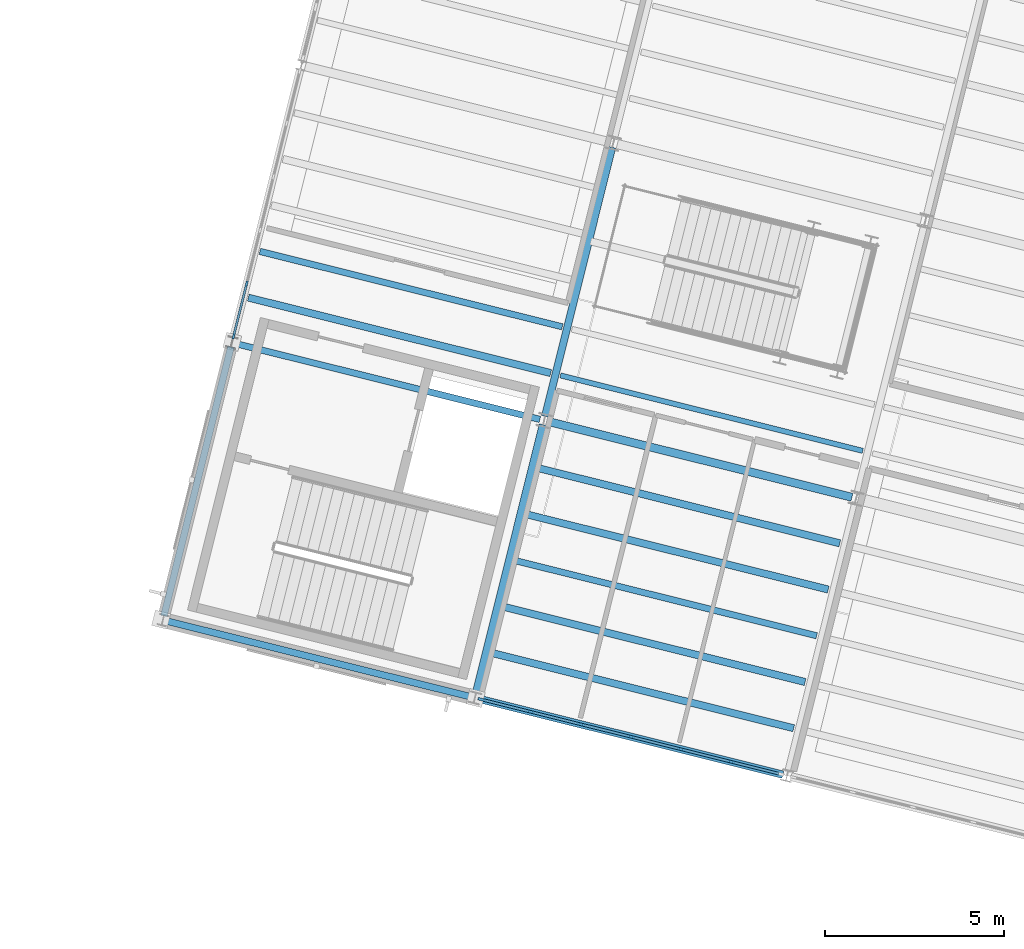
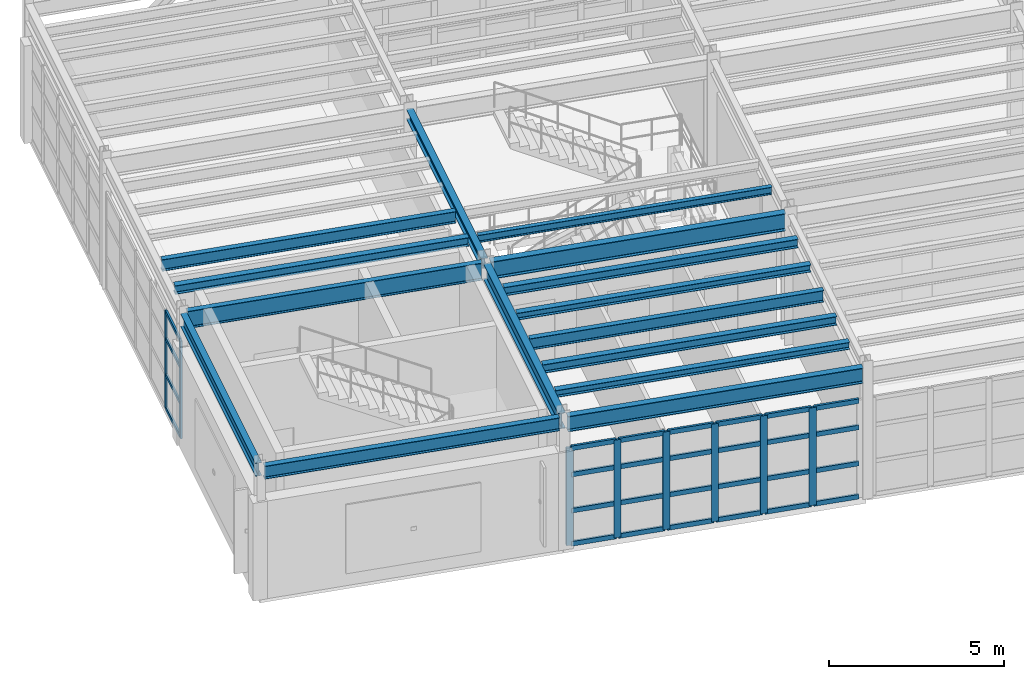
# One storey, part 12 of 59: 36 members, 15 beams, 2 elements without a shape of their own.
"""IFC4 building model written with IfcOpenShell, lengths in metres."""

import ifcopenshell
import ifcopenshell.guid

model = None  # the IFC model being written
_history = None  # IfcOwnerHistory: only IFC2X3 demands one
_inside = {}  # id of a spatial element -> (the spatial element, [elements in it])
_under = {}  # id of a project, library or spatial element -> (it, [spatial elements below it])
_declared = {}  # id of a project -> (the project, [libraries it declares])
_typed = {}  # id of a type object -> (the type object, [elements of that type])
_made_of = {}  # id of a material, layer set ... -> (it, [elements and type objects made of it])


def new_model(schema):
    """Start an empty IFC model of exactly this schema.

    Asked for "IFC4X3", IfcOpenShell would pick the latest addendum, in which some entities
    have other attributes; the version numbers below select the first issue.
    IFC2X3 requires an IfcOwnerHistory on every rooted entity: one is made here for all.
    """
    global model, _history
    if schema == "IFC4X3":
        model = ifcopenshell.file(schema_version=(4, 3, 0, 0))
    else:
        model = ifcopenshell.file(schema=schema)
    _inside.clear()
    _under.clear()
    _declared.clear()
    _typed.clear()
    _made_of.clear()
    _history = None
    if model.schema == "IFC2X3":
        org = make("IfcOrganization", Name="unknown")
        user = make(
            "IfcPersonAndOrganization",
            ThePerson=make("IfcPerson", FamilyName="unknown"),
            TheOrganization=org,
        )
        app = make(
            "IfcApplication",
            ApplicationDeveloper=org,
            Version="unknown",
            ApplicationFullName="unknown",
            ApplicationIdentifier="unknown",
        )
        _history = make(
            "IfcOwnerHistory",
            OwningUser=user,
            OwningApplication=app,
            ChangeAction="ADDED",
            CreationDate=0,
        )
    return model


def make(cls, **values):
    """One entity of the class cls with the attributes given. An attribute that is None is left unset."""
    return model.create_entity(
        cls, **{name: value for name, value in values.items() if value is not None}
    )


def rooted(cls, **values):
    """An entity with a GlobalId (a new one), such as an element, a storey or a relation."""
    return make(cls, GlobalId=ifcopenshell.guid.new(), OwnerHistory=_history, **values)


def si_unit(unit_type, name, prefix=None):
    """IfcSIUnit, for example si_unit("LENGTHUNIT", "METRE", prefix="MILLI")."""
    return make("IfcSIUnit", UnitType=unit_type, Prefix=prefix, Name=name)


def assignment(units):
    """IfcUnitAssignment: the units of a project."""
    return None if units is None else make("IfcUnitAssignment", Units=units)


def point(xyz):
    """IfcCartesianPoint."""
    return None if xyz is None else make("IfcCartesianPoint", Coordinates=xyz)


def direction(xyz):
    """IfcDirection."""
    return None if xyz is None else make("IfcDirection", DirectionRatios=xyz)


def frame(location, z_axis=None, x_axis=None):
    """IfcAxis2Placement3D, a coordinate frame: its origin and axes. An axis left out is left unset."""
    return make(
        "IfcAxis2Placement3D",
        Location=point(location),
        Axis=direction(z_axis),
        RefDirection=direction(x_axis),
    )


def frame_2d(location, x_axis=None):
    """IfcAxis2Placement2D, a coordinate frame in the plane: its origin and x axis."""
    return make(
        "IfcAxis2Placement2D", Location=point(location), RefDirection=direction(x_axis)
    )


def origin():
    """The frame at (0, 0, 0) with its axes left unset."""
    return frame((0.0, 0.0, 0.0))


def origin_2d():
    """The frame at (0, 0) in the plane with its x axis left unset."""
    return frame_2d((0.0, 0.0))


def place(relative_to, where):
    """IfcLocalPlacement: puts the frame where relative to a parent placement (None: the world)."""
    return make(
        "IfcLocalPlacement", PlacementRelTo=relative_to, RelativePlacement=where
    )


def context(
    kind, dimensions, precision=None, world=None, true_north=None, identifier=None
):
    """IfcGeometricRepresentationContext, for example the 3D "Model" context."""
    return make(
        "IfcGeometricRepresentationContext",
        ContextIdentifier=identifier,
        ContextType=kind,
        CoordinateSpaceDimension=dimensions,
        Precision=precision,
        WorldCoordinateSystem=world,
        TrueNorth=true_north,
    )


def subcontext(parent, identifier, kind, view, scale=None):
    """IfcGeometricRepresentationSubContext, for example "Body" below "Model"."""
    return make(
        "IfcGeometricRepresentationSubContext",
        ContextIdentifier=identifier,
        ContextType=kind,
        ParentContext=parent,
        TargetScale=scale,
        TargetView=view,
    )


def project(units=None, contexts=None):
    """IfcProject with its units and contexts."""
    return rooted(
        "IfcProject",
        Name="project",
        RepresentationContexts=contexts,
        UnitsInContext=assignment(units),
    )


def spatial(cls, under=None, at=None, **own):
    """A site, building, storey or space (cls), placed at a placement, below another one or the project."""
    s = rooted(cls, ObjectPlacement=at, **own)
    if under is not None:
        _under.setdefault(under.id(), (under, []))[1].append(s)
    return s


def profile(cls, at=None, kind="AREA", **sizes):
    """A parametric profile (cls). Its sizes go by their IFC names, for example OverallWidth=200.0."""
    return make(cls, ProfileType=kind, Position=at, **sizes)


def rectangle(**sizes):
    """IfcRectangleProfileDef."""
    return profile("IfcRectangleProfileDef", **sizes)


def i_section(**sizes):
    """IfcIShapeProfileDef."""
    return profile("IfcIShapeProfileDef", **sizes)


def extrude(swept, where, along, depth):
    """IfcExtrudedAreaSolid: the profile swept, set in the frame where, extruded along a direction by depth."""
    return make(
        "IfcExtrudedAreaSolid",
        SweptArea=swept,
        Position=where,
        ExtrudedDirection=direction(along),
        Depth=depth,
    )


def shape(context_of_items, identifier, shape_type, items):
    """IfcShapeRepresentation: the items that make up one representation, for example the "Body"."""
    return make(
        "IfcShapeRepresentation",
        ContextOfItems=context_of_items,
        RepresentationIdentifier=identifier,
        RepresentationType=shape_type,
        Items=items,
    )


def material(Name=None, Category=None):
    """IfcMaterial."""
    return make("IfcMaterial", Name=Name, Category=Category)


def layer(
    of_material, thickness, ventilated=None, Name=None, Category=None, Priority=None
):
    """IfcMaterialLayer: one layer of a wall or slab, of a material (None: an air gap)."""
    return make(
        "IfcMaterialLayer",
        Material=of_material,
        LayerThickness=thickness,
        IsVentilated=ventilated,
        Name=Name,
        Category=Category,
        Priority=Priority,
    )


def layer_set(layers, Name=None):
    """IfcMaterialLayerSet."""
    return make("IfcMaterialLayerSet", MaterialLayers=layers, LayerSetName=Name)


def material_profile(
    of_material, cross_section, Name=None, Category=None, Priority=None
):
    """IfcMaterialProfile: a cross section and its material."""
    return make(
        "IfcMaterialProfile",
        Name=Name,
        Material=of_material,
        Profile=cross_section,
        Priority=Priority,
        Category=Category,
    )


def profile_set(profiles, Name=None, composite=None):
    """IfcMaterialProfileSet."""
    return make(
        "IfcMaterialProfileSet",
        Name=Name,
        MaterialProfiles=profiles,
        CompositeProfile=composite,
    )


def made_of(thing, what):
    """Note that an element or type object is made of a material, layer set ...; save() writes the relation."""
    if what is not None:
        _made_of.setdefault(what.id(), (what, []))[1].append(thing)
    return thing


def type_object(cls, material=None, **own):
    """A type object (cls), such as IfcWallType, which elements share."""
    return made_of(rooted(cls, **own), material)


def element(
    cls,
    number,
    at=None,
    inside=None,
    cuts=None,
    type_object=None,
    material=None,
    context=None,
    identifier="Body",
    shape_type=None,
    held_by="IfcProductDefinitionShape",
    body=None,
    shapes=None,
    **own,
):
    """One element of the class cls, such as IfcWall. Its Tag is "e" and its number.

    at: its placement. inside: the storey or other place that contains it. cuts: it is an
    opening in that element (IfcRelVoidsElement). A single representation is given by context,
    identifier, shape_type and body (its items); several are given by shapes. held_by: the class
    of the entity that holds the representations. save() writes the other relations.
    """
    e = rooted(cls, Tag="e%d" % number, ObjectPlacement=at, **own)
    if body is not None:
        shapes = [shape(context, identifier, shape_type, body)]
    if shapes is not None:
        e.Representation = make(held_by, Representations=shapes)
    if inside is not None:
        _inside.setdefault(inside.id(), (inside, []))[1].append(e)
    if cuts is not None:
        rooted(
            "IfcRelVoidsElement", RelatingBuildingElement=cuts, RelatedOpeningElement=e
        )
    if type_object is not None:
        _typed.setdefault(type_object.id(), (type_object, []))[1].append(e)
    return made_of(e, material)


def aggregate(whole, parts):
    """IfcRelAggregates: a whole, such as a stair, and the parts it consists of."""
    return rooted("IfcRelAggregates", RelatingObject=whole, RelatedObjects=parts)


def save(model, path):
    """Write the relations noted so far, then the file.

    IfcRelAggregates (storeys below a building ...), IfcRelContainedInSpatialStructure (elements
    in a storey), IfcRelDefinesByType, IfcRelAssociatesMaterial and IfcRelDeclares: one each for
    every whole, place, type object, material and project.
    """
    for whole, parts in _under.values():
        aggregate(whole, parts)
    for where, things in _inside.values():
        rooted(
            "IfcRelContainedInSpatialStructure",
            RelatedElements=things,
            RelatingStructure=where,
        )
    for kind, things in _typed.values():
        rooted("IfcRelDefinesByType", RelatedObjects=things, RelatingType=kind)
    for what, things in _made_of.values():
        rooted("IfcRelAssociatesMaterial", RelatedObjects=things, RelatingMaterial=what)
    for by, libraries in _declared.values():
        rooted("IfcRelDeclares", RelatingContext=by, RelatedDefinitions=libraries)
    model.write(path)


model = new_model("IFC4")

# Units and contexts
model_context = context("Model", 3, precision=1e-05, world=origin(), true_north=direction((0.0, 1.0)))
body_context = subcontext(model_context, "Body", "Model", "MODEL_VIEW")
ifc_project = project(units=[si_unit("LENGTHUNIT", "METRE"), si_unit("AREAUNIT", "SQUARE_METRE"), si_unit("VOLUMEUNIT", "CUBIC_METRE"), si_unit("PLANEANGLEUNIT", "RADIAN"), si_unit("MASSUNIT", "GRAM", prefix="KILO")], contexts=[model_context])

# Site, building, storey
site_placement = place(None, origin())
site = spatial("IfcSite", under=ifc_project, at=site_placement, CompositionType="ELEMENT")
building_placement = place(site_placement, origin())
building = spatial("IfcBuilding", under=site, at=building_placement, Name="Vireo Bluff Cable Station", CompositionType="ELEMENT")
storey_placement = place(building_placement, frame((0.0, 0.0, 14.39990234375)))
storey = spatial("IfcBuildingStorey", under=building, at=storey_placement, Name="L03", CompositionType="ELEMENT", Elevation=14.39990234375)

# Beams
ifc_material_1 = material(Name="Steel ASTM A992 Gr. 50", Category="steel")
ifc_material_profile_1 = material_profile(ifc_material_1, i_section(OverallWidth=0.2041015625, OverallDepth=0.35009765625, WebThickness=0.008544921875, FlangeThickness=0.01513671875, FilletRadius=0.010009765625, at=origin_2d()), Name="W14X48")
ifc_profile_set_1 = profile_set([ifc_material_profile_1], Name="Steel ASTM A992 Gr. 50")
beam_type_1 = type_object("IfcBeamType", Name="BM-W14X48", PredefinedType="BEAM", material=ifc_profile_set_1)
beam_1_placement = place(storey_placement, frame((64.697021484375, 43.701416015625, 4.364990234375), z_axis=(0.241935966891, 0.970292217801, 0.0), x_axis=(-0.970292217801, 0.241935966891, 0.0)))
element("IfcBeam", 1, at=beam_1_placement, inside=storey, type_object=beam_type_1, Name="V1 L03 beam 288", PredefinedType="BEAM", context=body_context, shape_type="SweptSolid", body=[
    extrude(i_section(OverallWidth=0.2041015625, OverallDepth=0.35009765625, WebThickness=0.008544921875, FlangeThickness=0.01513671875, FilletRadius=0.010009765625, at=origin_2d()), origin(), (0.0, 0.0, 1.0), 7.760009765625),
])
ifc_material_profile_2 = material_profile(ifc_material_1, i_section(OverallWidth=0.214111328125, OverallDepth=0.549072265625, WebThickness=0.0146484375, FlangeThickness=0.023681640625, FilletRadius=0.012939453125, at=origin_2d()), Name="W21X93")
ifc_profile_set_2 = profile_set([ifc_material_profile_2], Name="Steel ASTM A992 Gr. 50")
beam_type_2 = type_object("IfcBeamType", Name="BM-W21X93", PredefinedType="BEAM", material=ifc_profile_set_2)
beam_2_placement = place(storey_placement, frame((62.76171875, 35.939208984375, 4.265625), z_axis=(0.241906346953, 0.970299602857, 0.0), x_axis=(-0.970299602857, 0.241906346953, 0.0)))
element("IfcBeam", 2, at=beam_2_placement, inside=storey, type_object=beam_type_2, Name="V1 L03 beam 287", PredefinedType="BEAM", context=body_context, shape_type="SweptSolid", body=[
    extrude(i_section(OverallWidth=0.214111328125, OverallDepth=0.549072265625, WebThickness=0.0146484375, FlangeThickness=0.023681640625, FilletRadius=0.012939453125, at=origin_2d()), origin(), (0.0, 0.0, 1.0), 7.760009765625),
])

# Curtain wall, members
ifc_material_2 = material(Name="Anodized Aluminium 6063-T6", Category="aluminium")
ifc_layer_1 = layer(ifc_material_2, 0.179931640625, Name="Anodized Aluminium 6063-T6")
ifc_layer_set_1 = layer_set([ifc_layer_1], Name="Anodized Aluminium 6063-T6")
curtain_wall_type_1 = type_object("IfcCurtainWallType", Name="CW-UNIT-1400", PredefinedType="USERDEFINED", material=ifc_layer_set_1)
curtain_wall_1_placement = place(storey_placement, origin())
curtain_wall_1 = element("IfcCurtainWall", 3, at=curtain_wall_1_placement, inside=storey, type_object=curtain_wall_type_1, Name="V1 L03 south curtain wall CW-021", ObjectType="UNITISED CURTAIN WALL", PredefinedType="USERDEFINED")
ifc_material_profile_3 = material_profile(ifc_material_2, rectangle(XDim=0.074951171875, YDim=0.2099609375, at=origin_2d()), Name="ALU-M-75X210")
ifc_profile_set_3 = profile_set([ifc_material_profile_3], Name="Anodized Aluminium 6063-T6")
member_type_1 = type_object("IfcMemberType", Name="CWM-02", PredefinedType="MULLION", material=ifc_profile_set_3)
member_1_placement = place(storey_placement, frame((69.9091796875, 34.033447265625, 0.0), z_axis=(0.0, 0.0, 1.0), x_axis=(-0.241921872856, -0.970295731947, 0.0)))
member_1 = element("IfcMember", 4, at=member_1_placement, type_object=member_type_1, Name="CW-021 mullion 2", PredefinedType="MULLION", context=body_context, shape_type="SweptSolid", body=[
    extrude(rectangle(XDim=0.074951171875, YDim=0.2099609375, at=origin_2d()), origin(), (0.0, 0.0, 1.0), 3.400146484375),
])
member_2_placement = place(storey_placement, frame((68.504150390625, 34.3837890625, 0.0), z_axis=(0.0, 0.0, 1.0), x_axis=(-0.241921872856, -0.970295731947, 0.0)))
member_2 = element("IfcMember", 5, at=member_2_placement, type_object=member_type_1, Name="CW-021 mullion 3", PredefinedType="MULLION", context=body_context, shape_type="SweptSolid", body=[
    extrude(rectangle(XDim=0.074951171875, YDim=0.2099609375, at=origin_2d()), origin(), (0.0, 0.0, 1.0), 3.400146484375),
])
member_3_placement = place(storey_placement, frame((67.098876953125, 34.734130859375, 0.0), z_axis=(0.0, 0.0, 1.0), x_axis=(-0.241921872856, -0.970295731947, 0.0)))
member_3 = element("IfcMember", 6, at=member_3_placement, type_object=member_type_1, Name="CW-021 mullion 4", PredefinedType="MULLION", context=body_context, shape_type="SweptSolid", body=[
    extrude(rectangle(XDim=0.074951171875, YDim=0.2099609375, at=origin_2d()), origin(), (0.0, 0.0, 1.0), 3.400146484375),
])
member_4_placement = place(storey_placement, frame((65.69384765625, 35.08447265625, 0.0), z_axis=(0.0, 0.0, 1.0), x_axis=(-0.241921872856, -0.970295731947, 0.0)))
member_4 = element("IfcMember", 7, at=member_4_placement, type_object=member_type_1, Name="CW-021 mullion 5", PredefinedType="MULLION", context=body_context, shape_type="SweptSolid", body=[
    extrude(rectangle(XDim=0.074951171875, YDim=0.2099609375, at=origin_2d()), origin(), (0.0, 0.0, 1.0), 3.400146484375),
])
member_5_placement = place(storey_placement, frame((64.28857421875, 35.434814453125, 0.0), z_axis=(0.0, 0.0, 1.0), x_axis=(-0.241921872856, -0.970295731947, 0.0)))
member_5 = element("IfcMember", 8, at=member_5_placement, type_object=member_type_1, Name="CW-021 mullion 6", PredefinedType="MULLION", context=body_context, shape_type="SweptSolid", body=[
    extrude(rectangle(XDim=0.074951171875, YDim=0.2099609375, at=origin_2d()), origin(), (0.0, 0.0, 1.0), 3.400146484375),
])
member_6_placement = place(storey_placement, frame((62.919921875, 35.776123046875, 0.0), z_axis=(0.0, 0.0, 1.0), x_axis=(-0.241921872856, -0.970295731947, 0.0)))
member_6 = element("IfcMember", 9, at=member_6_placement, type_object=member_type_1, Name="CW-021 mullion 7", PredefinedType="MULLION", context=body_context, shape_type="SweptSolid", body=[
    extrude(rectangle(XDim=0.074951171875, YDim=0.2099609375, at=origin_2d()), origin(), (0.0, 0.0, 1.0), 3.400146484375),
])

ifc_layer_2 = layer(ifc_material_2, 0.179931640625, Name="Anodized Aluminium 6063-T6")
ifc_layer_set_2 = layer_set([ifc_layer_2], Name="Anodized Aluminium 6063-T6")
curtain_wall_type_2 = type_object("IfcCurtainWallType", Name="CW-UNIT-1500", PredefinedType="USERDEFINED", material=ifc_layer_set_2)
curtain_wall_2_placement = place(storey_placement, origin())
curtain_wall_2 = element("IfcCurtainWall", 10, at=curtain_wall_2_placement, inside=storey, type_object=curtain_wall_type_2, Name="V1 L03 west curtain wall CW-022", ObjectType="UNITISED CURTAIN WALL", PredefinedType="USERDEFINED")
ifc_material_profile_4 = material_profile(ifc_material_2, rectangle(XDim=0.06005859375, YDim=0.159912109375, at=origin_2d()), Name="ALU-M-60X160")
ifc_profile_set_4 = profile_set([ifc_material_profile_4], Name="Anodized Aluminium 6063-T6")
member_type_2 = type_object("IfcMemberType", Name="CWM-03", PredefinedType="MULLION", material=ifc_profile_set_4)
member_7_placement = place(storey_placement, frame((55.980224609375, 45.94189453125, 0.0), z_axis=(0.0, 0.0, 1.0), x_axis=(-0.970295715648, 0.241921938225, 0.0)))
member_7 = element("IfcMember", 11, at=member_7_placement, type_object=member_type_2, Name="CW-022 mullion 1", PredefinedType="MULLION", context=body_context, shape_type="SweptSolid", body=[
    extrude(rectangle(XDim=0.06005859375, YDim=0.159912109375, at=origin_2d()), origin(), (0.0, 0.0, 1.0), 3.400146484375),
])
member_8_placement = place(storey_placement, frame((56.345947265625, 47.4091796875, 0.0), z_axis=(0.0, 0.0, 1.0), x_axis=(-0.970295715648, 0.241921938225, 0.0)))
member_8 = element("IfcMember", 12, at=member_8_placement, type_object=member_type_2, Name="CW-022 mullion 2", PredefinedType="MULLION", context=body_context, shape_type="SweptSolid", body=[
    extrude(rectangle(XDim=0.06005859375, YDim=0.159912109375, at=origin_2d()), origin(), (0.0, 0.0, 1.0), 3.400146484375),
])

# Member
ifc_material_profile_5 = material_profile(ifc_material_2, rectangle(XDim=0.074951171875, YDim=0.159912109375, at=origin_2d()), Name="ALU-T-75X160")
ifc_profile_set_5 = profile_set([ifc_material_profile_5], Name="Anodized Aluminium 6063-T6")
member_type_3 = type_object("IfcMemberType", Name="CWT-02", PredefinedType="USERDEFINED", material=ifc_profile_set_5)
member_9_placement = place(storey_placement, frame((71.24169921875, 33.701171875, 0.03759765625), z_axis=(-0.970282098056, 0.241976548847, 0.0), x_axis=(-0.241976548847, -0.970282098056, 0.0)))
member_9 = element("IfcMember", 13, at=member_9_placement, type_object=member_type_3, Name="CW-021 transom 1.1", ObjectType="TRANSOM", PredefinedType="USERDEFINED", context=body_context, shape_type="SweptSolid", body=[
    extrude(rectangle(XDim=0.074951171875, YDim=0.159912109375, at=origin_2d()), origin(), (0.0, 0.0, 1.0), 1.3359375),
])

member_10_placement = place(storey_placement, frame((71.24169921875, 33.701171875, 1.190185546875), z_axis=(-0.970282098056, 0.241976548847, 0.0), x_axis=(-0.241976548847, -0.970282098056, 0.0)))
member_10 = element("IfcMember", 14, at=member_10_placement, type_object=member_type_3, Name="CW-021 transom 1.2", ObjectType="TRANSOM", PredefinedType="USERDEFINED", context=body_context, shape_type="SweptSolid", body=[
    extrude(rectangle(XDim=0.074951171875, YDim=0.159912109375, at=origin_2d()), origin(), (0.0, 0.0, 1.0), 1.3359375),
])

member_11_placement = place(storey_placement, frame((71.24169921875, 33.701171875, 2.447998046875), z_axis=(-0.970282098056, 0.241976548847, 0.0), x_axis=(-0.241976548847, -0.970282098056, 0.0)))
member_11 = element("IfcMember", 15, at=member_11_placement, type_object=member_type_3, Name="CW-021 transom 1.3", ObjectType="TRANSOM", PredefinedType="USERDEFINED", context=body_context, shape_type="SweptSolid", body=[
    extrude(rectangle(XDim=0.074951171875, YDim=0.159912109375, at=origin_2d()), origin(), (0.0, 0.0, 1.0), 1.3359375),
])

member_12_placement = place(storey_placement, frame((71.24169921875, 33.701171875, 3.362548828125), z_axis=(-0.970282098056, 0.241976548847, 0.0), x_axis=(-0.241976548847, -0.970282098056, 0.0)))
member_12 = element("IfcMember", 16, at=member_12_placement, type_object=member_type_3, Name="CW-021 transom 1.4", ObjectType="TRANSOM", PredefinedType="USERDEFINED", context=body_context, shape_type="SweptSolid", body=[
    extrude(rectangle(XDim=0.074951171875, YDim=0.159912109375, at=origin_2d()), origin(), (0.0, 0.0, 1.0), 1.3359375),
])

member_13_placement = place(storey_placement, frame((69.872802734375, 34.04248046875, 0.03759765625), z_axis=(-0.970278315724, 0.241991714807, 0.0), x_axis=(-0.241991714807, -0.970278315724, 0.0)))
member_13 = element("IfcMember", 17, at=member_13_placement, type_object=member_type_3, Name="CW-021 transom 2.1", ObjectType="TRANSOM", PredefinedType="USERDEFINED", context=body_context, shape_type="SweptSolid", body=[
    extrude(rectangle(XDim=0.074951171875, YDim=0.159912109375, at=origin_2d()), origin(), (0.0, 0.0, 1.0), 1.373046875),
])

member_14_placement = place(storey_placement, frame((69.872802734375, 34.04248046875, 1.190185546875), z_axis=(-0.970278315724, 0.241991714807, 0.0), x_axis=(-0.241991714807, -0.970278315724, 0.0)))
member_14 = element("IfcMember", 18, at=member_14_placement, type_object=member_type_3, Name="CW-021 transom 2.2", ObjectType="TRANSOM", PredefinedType="USERDEFINED", context=body_context, shape_type="SweptSolid", body=[
    extrude(rectangle(XDim=0.074951171875, YDim=0.159912109375, at=origin_2d()), origin(), (0.0, 0.0, 1.0), 1.373046875),
])

member_15_placement = place(storey_placement, frame((69.872802734375, 34.04248046875, 2.447998046875), z_axis=(-0.970278315724, 0.241991714807, 0.0), x_axis=(-0.241991714807, -0.970278315724, 0.0)))
member_15 = element("IfcMember", 19, at=member_15_placement, type_object=member_type_3, Name="CW-021 transom 2.3", ObjectType="TRANSOM", PredefinedType="USERDEFINED", context=body_context, shape_type="SweptSolid", body=[
    extrude(rectangle(XDim=0.074951171875, YDim=0.159912109375, at=origin_2d()), origin(), (0.0, 0.0, 1.0), 1.373046875),
])

member_16_placement = place(storey_placement, frame((69.872802734375, 34.04248046875, 3.362548828125), z_axis=(-0.970278315724, 0.241991714807, 0.0), x_axis=(-0.241991714807, -0.970278315724, 0.0)))
member_16 = element("IfcMember", 20, at=member_16_placement, type_object=member_type_3, Name="CW-021 transom 2.4", ObjectType="TRANSOM", PredefinedType="USERDEFINED", context=body_context, shape_type="SweptSolid", body=[
    extrude(rectangle(XDim=0.074951171875, YDim=0.159912109375, at=origin_2d()), origin(), (0.0, 0.0, 1.0), 1.373046875),
])

member_17_placement = place(storey_placement, frame((68.4677734375, 34.392822265625, 0.03759765625), z_axis=(-0.970278315724, 0.241991714807, 0.0), x_axis=(-0.241991714807, -0.970278315724, 0.0)))
member_17 = element("IfcMember", 21, at=member_17_placement, type_object=member_type_3, Name="CW-021 transom 3.1", ObjectType="TRANSOM", PredefinedType="USERDEFINED", context=body_context, shape_type="SweptSolid", body=[
    extrude(rectangle(XDim=0.074951171875, YDim=0.159912109375, at=origin_2d()), origin(), (0.0, 0.0, 1.0), 1.373046875),
])

member_18_placement = place(storey_placement, frame((68.4677734375, 34.392822265625, 1.190185546875), z_axis=(-0.970278315724, 0.241991714807, 0.0), x_axis=(-0.241991714807, -0.970278315724, 0.0)))
member_18 = element("IfcMember", 22, at=member_18_placement, type_object=member_type_3, Name="CW-021 transom 3.2", ObjectType="TRANSOM", PredefinedType="USERDEFINED", context=body_context, shape_type="SweptSolid", body=[
    extrude(rectangle(XDim=0.074951171875, YDim=0.159912109375, at=origin_2d()), origin(), (0.0, 0.0, 1.0), 1.373046875),
])

member_19_placement = place(storey_placement, frame((68.4677734375, 34.392822265625, 2.447998046875), z_axis=(-0.970278315724, 0.241991714807, 0.0), x_axis=(-0.241991714807, -0.970278315724, 0.0)))
member_19 = element("IfcMember", 23, at=member_19_placement, type_object=member_type_3, Name="CW-021 transom 3.3", ObjectType="TRANSOM", PredefinedType="USERDEFINED", context=body_context, shape_type="SweptSolid", body=[
    extrude(rectangle(XDim=0.074951171875, YDim=0.159912109375, at=origin_2d()), origin(), (0.0, 0.0, 1.0), 1.373046875),
])

member_20_placement = place(storey_placement, frame((68.4677734375, 34.392822265625, 3.362548828125), z_axis=(-0.970278315724, 0.241991714807, 0.0), x_axis=(-0.241991714807, -0.970278315724, 0.0)))
member_20 = element("IfcMember", 24, at=member_20_placement, type_object=member_type_3, Name="CW-021 transom 3.4", ObjectType="TRANSOM", PredefinedType="USERDEFINED", context=body_context, shape_type="SweptSolid", body=[
    extrude(rectangle(XDim=0.074951171875, YDim=0.159912109375, at=origin_2d()), origin(), (0.0, 0.0, 1.0), 1.373046875),
])

member_21_placement = place(storey_placement, frame((67.0625, 34.7431640625, 0.03759765625), z_axis=(-0.970278315724, 0.241991714807, 0.0), x_axis=(-0.241991714807, -0.970278315724, 0.0)))
member_21 = element("IfcMember", 25, at=member_21_placement, type_object=member_type_3, Name="CW-021 transom 4.1", ObjectType="TRANSOM", PredefinedType="USERDEFINED", context=body_context, shape_type="SweptSolid", body=[
    extrude(rectangle(XDim=0.074951171875, YDim=0.159912109375, at=origin_2d()), origin(), (0.0, 0.0, 1.0), 1.373046875),
])

member_22_placement = place(storey_placement, frame((67.0625, 34.7431640625, 1.190185546875), z_axis=(-0.970278315724, 0.241991714807, 0.0), x_axis=(-0.241991714807, -0.970278315724, 0.0)))
member_22 = element("IfcMember", 26, at=member_22_placement, type_object=member_type_3, Name="CW-021 transom 4.2", ObjectType="TRANSOM", PredefinedType="USERDEFINED", context=body_context, shape_type="SweptSolid", body=[
    extrude(rectangle(XDim=0.074951171875, YDim=0.159912109375, at=origin_2d()), origin(), (0.0, 0.0, 1.0), 1.373046875),
])

member_23_placement = place(storey_placement, frame((67.0625, 34.7431640625, 2.447998046875), z_axis=(-0.970278315724, 0.241991714807, 0.0), x_axis=(-0.241991714807, -0.970278315724, 0.0)))
member_23 = element("IfcMember", 27, at=member_23_placement, type_object=member_type_3, Name="CW-021 transom 4.3", ObjectType="TRANSOM", PredefinedType="USERDEFINED", context=body_context, shape_type="SweptSolid", body=[
    extrude(rectangle(XDim=0.074951171875, YDim=0.159912109375, at=origin_2d()), origin(), (0.0, 0.0, 1.0), 1.373046875),
])

member_24_placement = place(storey_placement, frame((67.0625, 34.7431640625, 3.362548828125), z_axis=(-0.970278315724, 0.241991714807, 0.0), x_axis=(-0.241991714807, -0.970278315724, 0.0)))
member_24 = element("IfcMember", 28, at=member_24_placement, type_object=member_type_3, Name="CW-021 transom 4.4", ObjectType="TRANSOM", PredefinedType="USERDEFINED", context=body_context, shape_type="SweptSolid", body=[
    extrude(rectangle(XDim=0.074951171875, YDim=0.159912109375, at=origin_2d()), origin(), (0.0, 0.0, 1.0), 1.373046875),
])

member_25_placement = place(storey_placement, frame((65.657470703125, 35.093505859375, 0.03759765625), z_axis=(-0.970278315724, 0.241991714807, 0.0), x_axis=(-0.241991714807, -0.970278315724, 0.0)))
member_25 = element("IfcMember", 29, at=member_25_placement, type_object=member_type_3, Name="CW-021 transom 5.1", ObjectType="TRANSOM", PredefinedType="USERDEFINED", context=body_context, shape_type="SweptSolid", body=[
    extrude(rectangle(XDim=0.074951171875, YDim=0.159912109375, at=origin_2d()), origin(), (0.0, 0.0, 1.0), 1.373046875),
])

member_26_placement = place(storey_placement, frame((65.657470703125, 35.093505859375, 1.190185546875), z_axis=(-0.970278315724, 0.241991714807, 0.0), x_axis=(-0.241991714807, -0.970278315724, 0.0)))
member_26 = element("IfcMember", 30, at=member_26_placement, type_object=member_type_3, Name="CW-021 transom 5.2", ObjectType="TRANSOM", PredefinedType="USERDEFINED", context=body_context, shape_type="SweptSolid", body=[
    extrude(rectangle(XDim=0.074951171875, YDim=0.159912109375, at=origin_2d()), origin(), (0.0, 0.0, 1.0), 1.373046875),
])

member_27_placement = place(storey_placement, frame((65.657470703125, 35.093505859375, 2.447998046875), z_axis=(-0.970278315724, 0.241991714807, 0.0), x_axis=(-0.241991714807, -0.970278315724, 0.0)))
member_27 = element("IfcMember", 31, at=member_27_placement, type_object=member_type_3, Name="CW-021 transom 5.3", ObjectType="TRANSOM", PredefinedType="USERDEFINED", context=body_context, shape_type="SweptSolid", body=[
    extrude(rectangle(XDim=0.074951171875, YDim=0.159912109375, at=origin_2d()), origin(), (0.0, 0.0, 1.0), 1.373046875),
])

member_28_placement = place(storey_placement, frame((65.657470703125, 35.093505859375, 3.362548828125), z_axis=(-0.970278315724, 0.241991714807, 0.0), x_axis=(-0.241991714807, -0.970278315724, 0.0)))
member_28 = element("IfcMember", 32, at=member_28_placement, type_object=member_type_3, Name="CW-021 transom 5.4", ObjectType="TRANSOM", PredefinedType="USERDEFINED", context=body_context, shape_type="SweptSolid", body=[
    extrude(rectangle(XDim=0.074951171875, YDim=0.159912109375, at=origin_2d()), origin(), (0.0, 0.0, 1.0), 1.373046875),
])

member_29_placement = place(storey_placement, frame((64.252197265625, 35.44384765625, 0.03759765625), z_axis=(-0.97031430522, 0.241847367333, 0.0), x_axis=(-0.241847367333, -0.97031430522, 0.0)))
member_29 = element("IfcMember", 33, at=member_29_placement, type_object=member_type_3, Name="CW-021 transom 6.1", ObjectType="TRANSOM", PredefinedType="USERDEFINED", context=body_context, shape_type="SweptSolid", body=[
    extrude(rectangle(XDim=0.074951171875, YDim=0.159912109375, at=origin_2d()), origin(), (0.0, 0.0, 1.0), 1.33544921875),
])

member_30_placement = place(storey_placement, frame((64.252197265625, 35.44384765625, 1.190185546875), z_axis=(-0.97031430522, 0.241847367333, 0.0), x_axis=(-0.241847367333, -0.97031430522, 0.0)))
member_30 = element("IfcMember", 34, at=member_30_placement, type_object=member_type_3, Name="CW-021 transom 6.2", ObjectType="TRANSOM", PredefinedType="USERDEFINED", context=body_context, shape_type="SweptSolid", body=[
    extrude(rectangle(XDim=0.074951171875, YDim=0.159912109375, at=origin_2d()), origin(), (0.0, 0.0, 1.0), 1.33544921875),
])

member_31_placement = place(storey_placement, frame((64.252197265625, 35.44384765625, 2.447998046875), z_axis=(-0.97031430522, 0.241847367333, 0.0), x_axis=(-0.241847367333, -0.97031430522, 0.0)))
member_31 = element("IfcMember", 35, at=member_31_placement, type_object=member_type_3, Name="CW-021 transom 6.3", ObjectType="TRANSOM", PredefinedType="USERDEFINED", context=body_context, shape_type="SweptSolid", body=[
    extrude(rectangle(XDim=0.074951171875, YDim=0.159912109375, at=origin_2d()), origin(), (0.0, 0.0, 1.0), 1.33544921875),
])

member_32_placement = place(storey_placement, frame((64.252197265625, 35.44384765625, 3.362548828125), z_axis=(-0.97031430522, 0.241847367333, 0.0), x_axis=(-0.241847367333, -0.97031430522, 0.0)))
member_32 = element("IfcMember", 36, at=member_32_placement, type_object=member_type_3, Name="CW-021 transom 6.4", ObjectType="TRANSOM", PredefinedType="USERDEFINED", context=body_context, shape_type="SweptSolid", body=[
    extrude(rectangle(XDim=0.074951171875, YDim=0.159912109375, at=origin_2d()), origin(), (0.0, 0.0, 1.0), 1.33544921875),
])

aggregate(curtain_wall_1, [member_1, member_2, member_3, member_4, member_5, member_6, member_9, member_10, member_11, member_12, member_13, member_14, member_15, member_16, member_17, member_18, member_19, member_20, member_21, member_22, member_23, member_24, member_25, member_26, member_27, member_28, member_29, member_30, member_31, member_32])

ifc_material_profile_6 = material_profile(ifc_material_2, rectangle(XDim=0.06005859375, YDim=0.1201171875, at=origin_2d()), Name="ALU-T-60X120")
ifc_profile_set_6 = profile_set([ifc_material_profile_6], Name="Anodized Aluminium 6063-T6")
member_type_4 = type_object("IfcMemberType", Name="CWT-03", PredefinedType="USERDEFINED", material=ifc_profile_set_6)
member_33_placement = place(storey_placement, frame((55.9873046875, 45.970947265625, 0.030029296875), z_axis=(0.241902708559, 0.970300509941, 0.0), x_axis=(-0.970300509941, 0.241902708559, 0.0)))
member_33 = element("IfcMember", 37, at=member_33_placement, type_object=member_type_4, Name="CW-022 transom 1.1", ObjectType="TRANSOM", PredefinedType="USERDEFINED", context=body_context, shape_type="SweptSolid", body=[
    extrude(rectangle(XDim=0.06005859375, YDim=0.1201171875, at=origin_2d()), origin(), (0.0, 0.0, 1.0), 1.452392578125),
])

member_34_placement = place(storey_placement, frame((55.9873046875, 45.970947265625, 1.190185546875), z_axis=(0.241902708559, 0.970300509941, 0.0), x_axis=(-0.970300509941, 0.241902708559, 0.0)))
member_34 = element("IfcMember", 38, at=member_34_placement, type_object=member_type_4, Name="CW-022 transom 1.2", ObjectType="TRANSOM", PredefinedType="USERDEFINED", context=body_context, shape_type="SweptSolid", body=[
    extrude(rectangle(XDim=0.06005859375, YDim=0.1201171875, at=origin_2d()), origin(), (0.0, 0.0, 1.0), 1.452392578125),
])

member_35_placement = place(storey_placement, frame((55.9873046875, 45.970947265625, 2.447998046875), z_axis=(0.241902708559, 0.970300509941, 0.0), x_axis=(-0.970300509941, 0.241902708559, 0.0)))
member_35 = element("IfcMember", 39, at=member_35_placement, type_object=member_type_4, Name="CW-022 transom 1.3", ObjectType="TRANSOM", PredefinedType="USERDEFINED", context=body_context, shape_type="SweptSolid", body=[
    extrude(rectangle(XDim=0.06005859375, YDim=0.1201171875, at=origin_2d()), origin(), (0.0, 0.0, 1.0), 1.452392578125),
])

member_36_placement = place(storey_placement, frame((55.9873046875, 45.970947265625, 3.3701171875), z_axis=(0.241902708559, 0.970300509941, 0.0), x_axis=(-0.970300509941, 0.241902708559, 0.0)))
member_36 = element("IfcMember", 40, at=member_36_placement, type_object=member_type_4, Name="CW-022 transom 1.4", ObjectType="TRANSOM", PredefinedType="USERDEFINED", context=body_context, shape_type="SweptSolid", body=[
    extrude(rectangle(XDim=0.06005859375, YDim=0.1201171875, at=origin_2d()), origin(), (0.0, 0.0, 1.0), 1.452392578125),
])

aggregate(curtain_wall_2, [member_7, member_8, member_33, member_34, member_35, member_36])

# Beams
ifc_material_profile_7 = material_profile(ifc_material_1, i_section(OverallWidth=0.178955078125, OverallDepth=0.60302734375, WebThickness=0.010986328125, FlangeThickness=0.014892578125, FilletRadius=0.012939453125, at=origin_2d()), Name="W24X62")
ifc_profile_set_7 = profile_set([ifc_material_profile_7], Name="Steel ASTM A992 Gr. 50")
beam_type_3 = type_object("IfcBeamType", Name="GIR-W24X62", PredefinedType="USERDEFINED", material=ifc_profile_set_7)
beam_3_placement = place(storey_placement, frame((56.0517578125, 45.7333984375, 4.238525390625), z_axis=(0.970291502693, -0.241938834838, 0.0), x_axis=(0.241938834838, 0.970291502693, 0.0)))
element("IfcBeam", 41, at=beam_3_placement, inside=storey, type_object=beam_type_3, Name="V1 L03 girder 275", ObjectType="GIRDER", PredefinedType="USERDEFINED", context=body_context, shape_type="SweptSolid", body=[
    extrude(i_section(OverallWidth=0.178955078125, OverallDepth=0.60302734375, WebThickness=0.010986328125, FlangeThickness=0.014892578125, FilletRadius=0.012939453125, at=origin_2d()), origin(), (0.0, 0.0, 1.0), 8.760009765625),
])
ifc_material_profile_8 = material_profile(ifc_material_1, i_section(OverallWidth=0.22802734375, OverallDepth=0.60693359375, WebThickness=0.01123046875, FlangeThickness=0.017333984375, FilletRadius=0.012939453125, at=origin_2d()), Name="W24X76")
ifc_profile_set_8 = profile_set([ifc_material_profile_8], Name="Steel ASTM A992 Gr. 50")
beam_type_4 = type_object("IfcBeamType", Name="GIR-W24X76", PredefinedType="USERDEFINED", material=ifc_profile_set_8)
beam_4_placement = place(storey_placement, frame((64.784423828125, 43.55615234375, 4.236572265625), z_axis=(0.970291502693, -0.241938834838, 0.0), x_axis=(0.241938834838, 0.970291502693, 0.0)))
element("IfcBeam", 42, at=beam_4_placement, inside=storey, type_object=beam_type_4, Name="V1 L03 girder 276", ObjectType="GIRDER", PredefinedType="USERDEFINED", context=body_context, shape_type="SweptSolid", body=[
    extrude(i_section(OverallWidth=0.22802734375, OverallDepth=0.60693359375, WebThickness=0.01123046875, FlangeThickness=0.017333984375, FilletRadius=0.012939453125, at=origin_2d()), origin(), (0.0, 0.0, 1.0), 8.760009765625),
])
ifc_material_profile_9 = material_profile(ifc_material_1, i_section(OverallWidth=0.14599609375, OverallDepth=0.259033203125, WebThickness=0.006103515625, FlangeThickness=0.009033203125, FilletRadius=0.009033203125, at=origin_2d()), Name="W10X22")
ifc_profile_set_9 = profile_set([ifc_material_profile_9], Name="Steel ASTM A992 Gr. 50")
beam_type_5 = type_object("IfcBeamType", Name="JST-W10X22", PredefinedType="JOIST", material=ifc_profile_set_9)
beam_5_placement = place(storey_placement, frame((65.12646484375, 44.844970703125, 4.41064453125), z_axis=(0.970293828661, -0.24192950639, 0.0), x_axis=(0.24192950639, 0.970293828661, 0.0)))
element("IfcBeam", 43, at=beam_5_placement, inside=storey, type_object=beam_type_5, Name="V1 L03 composite joist 311", PredefinedType="JOIST", context=body_context, shape_type="SweptSolid", body=[
    extrude(i_section(OverallWidth=0.14599609375, OverallDepth=0.259033203125, WebThickness=0.006103515625, FlangeThickness=0.009033203125, FilletRadius=0.009033203125, at=origin_2d()), origin(), (0.0, 0.0, 1.0), 8.719970703125),
])
ifc_material_profile_10 = material_profile(ifc_material_1, i_section(OverallWidth=0.201904296875, OverallDepth=0.2470703125, WebThickness=0.00732421875, FlangeThickness=0.010986328125, FilletRadius=0.009033203125, at=origin_2d()), Name="W10X33")
ifc_profile_set_10 = profile_set([ifc_material_profile_10], Name="Steel ASTM A992 Gr. 50")
beam_type_6 = type_object("IfcBeamType", Name="JST-W10X33", PredefinedType="JOIST", material=ifc_profile_set_10)
for number, where, z_axis, x_axis, name in (
    (44, (63.191162109375, 37.08251953125, 4.41650390625), (0.970293828661, -0.24192950639, 0.0), (0.24192950639, 0.970293828661, 0.0), "V1 L03 composite joist 306"),
    (45, (64.15869140625, 40.963623046875, 4.41650390625), (0.970300400641, -0.241903146974, 0.0), (0.241903146974, 0.970300400641, 0.0), "V1 L03 composite joist 309"),
):
    element("IfcBeam", number, at=place(storey_placement, frame(where, z_axis=z_axis, x_axis=x_axis)), inside=storey, type_object=beam_type_6, Name=name, PredefinedType="JOIST", context=body_context, shape_type="SweptSolid", body=[
        extrude(i_section(OverallWidth=0.201904296875, OverallDepth=0.2470703125, WebThickness=0.00732421875, FlangeThickness=0.010986328125, FilletRadius=0.009033203125, at=origin_2d()), origin(), (0.0, 0.0, 1.0), 8.719970703125),
    ])
ifc_material_profile_11 = material_profile(ifc_material_1, i_section(OverallWidth=0.202880859375, OverallDepth=0.302978515625, WebThickness=0.007568359375, FlangeThickness=0.01318359375, FilletRadius=0.010009765625, at=origin_2d()), Name="W12X40")
ifc_profile_set_11 = profile_set([ifc_material_profile_11], Name="Steel ASTM A992 Gr. 50")
beam_type_7 = type_object("IfcBeamType", Name="JST-W12X40", PredefinedType="JOIST", material=ifc_profile_set_11)
for number, where, z_axis, x_axis, name in (
    (46, (56.393798828125, 47.022216796875, 4.388671875), (0.970293828661, -0.24192950639, 0.0), (0.24192950639, 0.970293828661, 0.0), "V1 L03 composite joist 296"),
    (47, (63.513671875, 38.376220703125, 4.388671875), (0.970300400641, -0.241903146974, 0.0), (0.241903146974, 0.970300400641, 0.0), "V1 L03 composite joist 307"),
):
    element("IfcBeam", number, at=place(storey_placement, frame(where, z_axis=z_axis, x_axis=x_axis)), inside=storey, type_object=beam_type_7, Name=name, PredefinedType="JOIST", context=body_context, shape_type="SweptSolid", body=[
        extrude(i_section(OverallWidth=0.202880859375, OverallDepth=0.302978515625, WebThickness=0.007568359375, FlangeThickness=0.01318359375, FilletRadius=0.010009765625, at=origin_2d()), origin(), (0.0, 0.0, 1.0), 8.719970703125),
    ])
beam_6_placement = place(storey_placement, frame((64.481201171875, 42.257568359375, 4.388671875), z_axis=(0.970295467306, -0.24192293427, 0.0), x_axis=(0.24192293427, 0.970295467306, 0.0)))
element("IfcBeam", 48, at=beam_6_placement, inside=storey, type_object=beam_type_7, Name="V1 L03 composite joist 310", PredefinedType="JOIST", context=body_context, shape_type="SweptSolid", body=[
    extrude(i_section(OverallWidth=0.202880859375, OverallDepth=0.302978515625, WebThickness=0.007568359375, FlangeThickness=0.01318359375, FilletRadius=0.010009765625, at=origin_2d()), origin(), (0.0, 0.0, 1.0), 8.72021484375),
])
ifc_material_profile_12 = material_profile(ifc_material_1, i_section(OverallWidth=0.177978515625, OverallDepth=0.404052734375, WebThickness=0.007568359375, FlangeThickness=0.010986328125, FilletRadius=0.010009765625, at=origin_2d()), Name="W16X36")
ifc_profile_set_12 = profile_set([ifc_material_profile_12], Name="Steel ASTM A992 Gr. 50")
beam_type_8 = type_object("IfcBeamType", Name="JST-W16X36", PredefinedType="JOIST", material=ifc_profile_set_12)
for number, where, z_axis, x_axis, name in (
    (49, (56.71630859375, 48.31591796875, 4.338134765625), (0.970293828661, -0.24192950639, 0.0), (0.24192950639, 0.970293828661, 0.0), "V1 L03 composite joist 297"),
    (50, (63.836181640625, 39.669921875, 4.338134765625), (0.970300400641, -0.241903146974, 0.0), (0.241903146974, 0.970300400641, 0.0), "V1 L03 composite joist 308"),
):
    element("IfcBeam", number, at=place(storey_placement, frame(where, z_axis=z_axis, x_axis=x_axis)), inside=storey, type_object=beam_type_8, Name=name, PredefinedType="JOIST", context=body_context, shape_type="SweptSolid", body=[
        extrude(i_section(OverallWidth=0.177978515625, OverallDepth=0.404052734375, WebThickness=0.007568359375, FlangeThickness=0.010986328125, FilletRadius=0.010009765625, at=origin_2d()), origin(), (0.0, 0.0, 1.0), 8.719970703125),
    ])
ifc_material_profile_13 = material_profile(ifc_material_1, i_section(OverallWidth=0.19091796875, OverallDepth=0.45703125, WebThickness=0.009033203125, FlangeThickness=0.014404296875, FilletRadius=0.011962890625, at=origin_2d()), Name="W18X50")
ifc_profile_set_13 = profile_set([ifc_material_profile_13], Name="Steel ASTM A992 Gr. 50")
beam_type_9 = type_object("IfcBeamType", Name="SPN-W18X50", PredefinedType="SPANDREL", material=ifc_profile_set_13)
beam_7_placement = place(storey_placement, frame((54.116455078125, 37.970947265625, 4.3115234375), z_axis=(0.970298044881, -0.241912595995, 0.0), x_axis=(0.241912595995, 0.970298044881, 0.0)))
element("IfcBeam", 51, at=beam_7_placement, inside=storey, type_object=beam_type_9, Name="V1 L03 spandrel 272", PredefinedType="SPANDREL", context=body_context, shape_type="SweptSolid", body=[
    extrude(i_section(OverallWidth=0.19091796875, OverallDepth=0.45703125, WebThickness=0.009033203125, FlangeThickness=0.014404296875, FilletRadius=0.011962890625, at=origin_2d()), origin(), (0.0, 0.0, 1.0), 8.760009765625),
])
beam_8_placement = place(storey_placement, frame((54.029052734375, 38.116455078125, 4.3115234375), z_axis=(0.241906346953, 0.970299602857, 0.0), x_axis=(-0.970299602857, 0.241906346953, 0.0)))
element("IfcBeam", 52, at=beam_8_placement, inside=storey, type_object=beam_type_9, Name="V1 L03 spandrel 284", PredefinedType="SPANDREL", context=body_context, shape_type="SweptSolid", body=[
    extrude(i_section(OverallWidth=0.19091796875, OverallDepth=0.45703125, WebThickness=0.009033203125, FlangeThickness=0.014404296875, FilletRadius=0.011962890625, at=origin_2d()), origin(), (0.0, 0.0, 1.0), 7.760009765625),
])
ifc_material_profile_14 = material_profile(ifc_material_1, i_section(OverallWidth=0.2099609375, OverallDepth=0.535888671875, WebThickness=0.010986328125, FlangeThickness=0.017333984375, FilletRadius=0.012939453125, at=origin_2d()), Name="W21X68")
ifc_profile_set_14 = profile_set([ifc_material_profile_14], Name="Steel ASTM A992 Gr. 50")
beam_type_10 = type_object("IfcBeamType", Name="SPN-W21X68", PredefinedType="SPANDREL", material=ifc_profile_set_14)
beam_9_placement = place(storey_placement, frame((62.84912109375, 35.793701171875, 4.272216796875), z_axis=(0.970291502693, -0.241938834838, 0.0), x_axis=(0.241938834838, 0.970291502693, 0.0)))
element("IfcBeam", 53, at=beam_9_placement, inside=storey, type_object=beam_type_10, Name="V1 L03 spandrel 273", PredefinedType="SPANDREL", context=body_context, shape_type="SweptSolid", body=[
    extrude(i_section(OverallWidth=0.2099609375, OverallDepth=0.535888671875, WebThickness=0.010986328125, FlangeThickness=0.017333984375, FilletRadius=0.012939453125, at=origin_2d()), origin(), (0.0, 0.0, 1.0), 8.760009765625),
])

save(model, "model.ifc")
